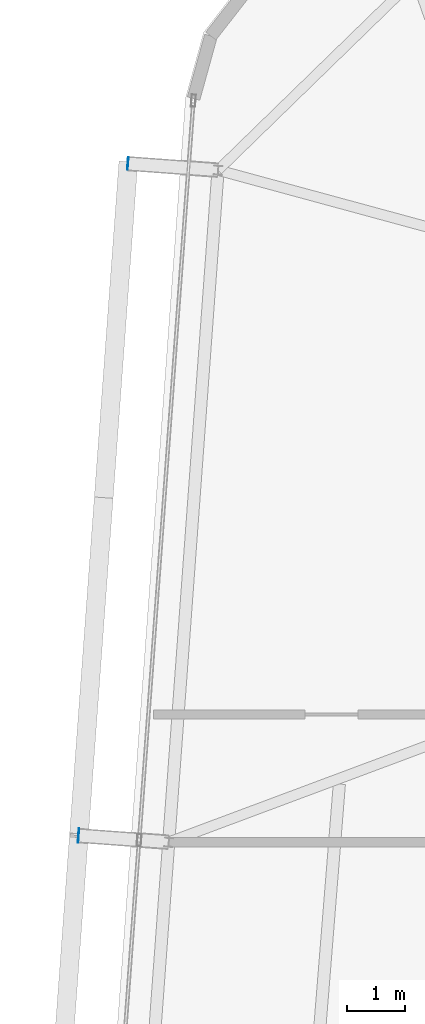
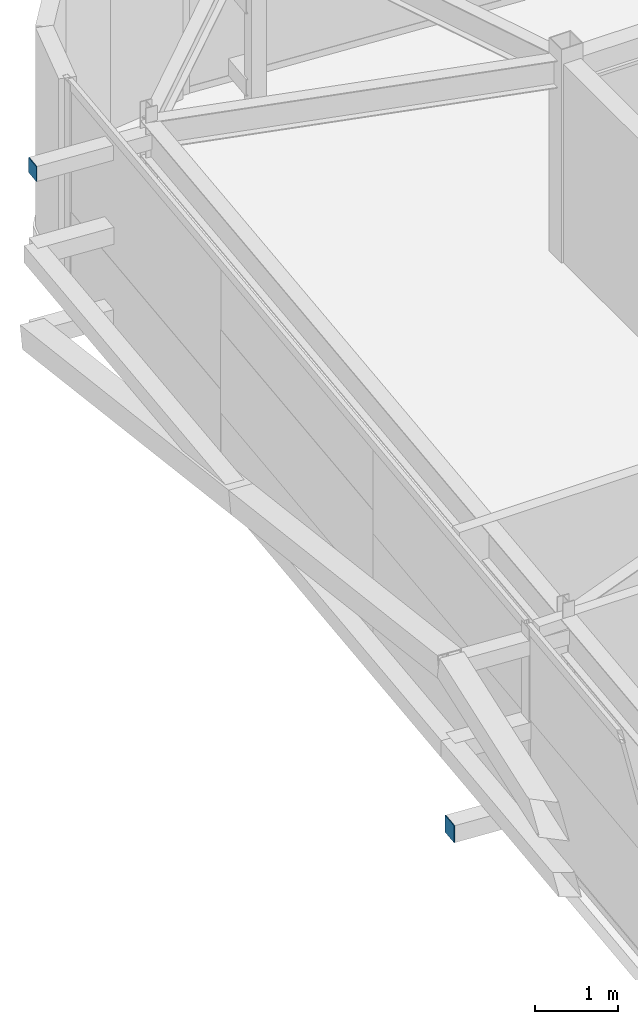
# One storey, part 26 of 34: 2 plates.
"""IFC4 building model written with IfcOpenShell, lengths in metres."""

import ifcopenshell
import ifcopenshell.guid

model = None  # the IFC model being written
_history = None  # IfcOwnerHistory: only IFC2X3 demands one
_inside = {}  # id of a spatial element -> (the spatial element, [elements in it])
_under = {}  # id of a project, library or spatial element -> (it, [spatial elements below it])
_declared = {}  # id of a project -> (the project, [libraries it declares])
_typed = {}  # id of a type object -> (the type object, [elements of that type])
_made_of = {}  # id of a material, layer set ... -> (it, [elements and type objects made of it])


def new_model(schema):
    """Start an empty IFC model of exactly this schema.

    Asked for "IFC4X3", IfcOpenShell would pick the latest addendum, in which some entities
    have other attributes; the version numbers below select the first issue.
    IFC2X3 requires an IfcOwnerHistory on every rooted entity: one is made here for all.
    """
    global model, _history
    if schema == "IFC4X3":
        model = ifcopenshell.file(schema_version=(4, 3, 0, 0))
    else:
        model = ifcopenshell.file(schema=schema)
    _inside.clear()
    _under.clear()
    _declared.clear()
    _typed.clear()
    _made_of.clear()
    _history = None
    if model.schema == "IFC2X3":
        org = make("IfcOrganization", Name="unknown")
        user = make(
            "IfcPersonAndOrganization",
            ThePerson=make("IfcPerson", FamilyName="unknown"),
            TheOrganization=org,
        )
        app = make(
            "IfcApplication",
            ApplicationDeveloper=org,
            Version="unknown",
            ApplicationFullName="unknown",
            ApplicationIdentifier="unknown",
        )
        _history = make(
            "IfcOwnerHistory",
            OwningUser=user,
            OwningApplication=app,
            ChangeAction="ADDED",
            CreationDate=0,
        )
    return model


def make(cls, **values):
    """One entity of the class cls with the attributes given. An attribute that is None is left unset."""
    return model.create_entity(
        cls, **{name: value for name, value in values.items() if value is not None}
    )


def rooted(cls, **values):
    """An entity with a GlobalId (a new one), such as an element, a storey or a relation."""
    return make(cls, GlobalId=ifcopenshell.guid.new(), OwnerHistory=_history, **values)


def si_unit(unit_type, name, prefix=None):
    """IfcSIUnit, for example si_unit("LENGTHUNIT", "METRE", prefix="MILLI")."""
    return make("IfcSIUnit", UnitType=unit_type, Prefix=prefix, Name=name)


def assignment(units):
    """IfcUnitAssignment: the units of a project."""
    return None if units is None else make("IfcUnitAssignment", Units=units)


def point(xyz):
    """IfcCartesianPoint."""
    return None if xyz is None else make("IfcCartesianPoint", Coordinates=xyz)


def direction(xyz):
    """IfcDirection."""
    return None if xyz is None else make("IfcDirection", DirectionRatios=xyz)


def frame(location, z_axis=None, x_axis=None):
    """IfcAxis2Placement3D, a coordinate frame: its origin and axes. An axis left out is left unset."""
    return make(
        "IfcAxis2Placement3D",
        Location=point(location),
        Axis=direction(z_axis),
        RefDirection=direction(x_axis),
    )


def frame_2d(location, x_axis=None):
    """IfcAxis2Placement2D, a coordinate frame in the plane: its origin and x axis."""
    return make(
        "IfcAxis2Placement2D", Location=point(location), RefDirection=direction(x_axis)
    )


def origin():
    """The frame at (0, 0, 0) with its axes left unset."""
    return frame((0.0, 0.0, 0.0))


def origin_2d():
    """The frame at (0, 0) in the plane with its x axis left unset."""
    return frame_2d((0.0, 0.0))


def place(relative_to, where):
    """IfcLocalPlacement: puts the frame where relative to a parent placement (None: the world)."""
    return make(
        "IfcLocalPlacement", PlacementRelTo=relative_to, RelativePlacement=where
    )


def context(
    kind, dimensions, precision=None, world=None, true_north=None, identifier=None
):
    """IfcGeometricRepresentationContext, for example the 3D "Model" context."""
    return make(
        "IfcGeometricRepresentationContext",
        ContextIdentifier=identifier,
        ContextType=kind,
        CoordinateSpaceDimension=dimensions,
        Precision=precision,
        WorldCoordinateSystem=world,
        TrueNorth=true_north,
    )


def subcontext(parent, identifier, kind, view, scale=None):
    """IfcGeometricRepresentationSubContext, for example "Body" below "Model"."""
    return make(
        "IfcGeometricRepresentationSubContext",
        ContextIdentifier=identifier,
        ContextType=kind,
        ParentContext=parent,
        TargetScale=scale,
        TargetView=view,
    )


def project(units=None, contexts=None):
    """IfcProject with its units and contexts."""
    return rooted(
        "IfcProject",
        Name="project",
        RepresentationContexts=contexts,
        UnitsInContext=assignment(units),
    )


def spatial(cls, under=None, at=None, **own):
    """A site, building, storey or space (cls), placed at a placement, below another one or the project."""
    s = rooted(cls, ObjectPlacement=at, **own)
    if under is not None:
        _under.setdefault(under.id(), (under, []))[1].append(s)
    return s


def profile(cls, at=None, kind="AREA", **sizes):
    """A parametric profile (cls). Its sizes go by their IFC names, for example OverallWidth=200.0."""
    return make(cls, ProfileType=kind, Position=at, **sizes)


def rectangle(**sizes):
    """IfcRectangleProfileDef."""
    return profile("IfcRectangleProfileDef", **sizes)


def extrude(swept, where, along, depth):
    """IfcExtrudedAreaSolid: the profile swept, set in the frame where, extruded along a direction by depth."""
    return make(
        "IfcExtrudedAreaSolid",
        SweptArea=swept,
        Position=where,
        ExtrudedDirection=direction(along),
        Depth=depth,
    )


def shape(context_of_items, identifier, shape_type, items):
    """IfcShapeRepresentation: the items that make up one representation, for example the "Body"."""
    return make(
        "IfcShapeRepresentation",
        ContextOfItems=context_of_items,
        RepresentationIdentifier=identifier,
        RepresentationType=shape_type,
        Items=items,
    )


def source(mapping_origin, context_of_items, identifier, shape_type, items):
    """IfcRepresentationMap: a shape defined once, which mapped items show again and again."""
    return make(
        "IfcRepresentationMap",
        MappingOrigin=mapping_origin,
        MappedRepresentation=shape(context_of_items, identifier, shape_type, items),
    )


def transform(
    local_origin,
    x_axis=None,
    y_axis=None,
    z_axis=None,
    scale=None,
    scale2=None,
    scale3=None,
    uniform=True,
):
    """IfcCartesianTransformationOperator3D, or its non-uniform kind. x_axis, y_axis, z_axis: its Axis1, 2, 3."""
    if uniform:
        return make(
            "IfcCartesianTransformationOperator3D",
            Axis1=direction(x_axis),
            Axis2=direction(y_axis),
            LocalOrigin=point(local_origin),
            Scale=scale,
            Axis3=direction(z_axis),
        )
    return make(
        "IfcCartesianTransformationOperator3DnonUniform",
        Axis1=direction(x_axis),
        Axis2=direction(y_axis),
        LocalOrigin=point(local_origin),
        Scale=scale,
        Axis3=direction(z_axis),
        Scale2=scale2,
        Scale3=scale3,
    )


def mapped(mapping_source, mapping_target):
    """IfcMappedItem: shows the shape of a source again, moved by a transform."""
    return make(
        "IfcMappedItem", MappingSource=mapping_source, MappingTarget=mapping_target
    )


def material(Name=None, Category=None):
    """IfcMaterial."""
    return make("IfcMaterial", Name=Name, Category=Category)


def layer(
    of_material, thickness, ventilated=None, Name=None, Category=None, Priority=None
):
    """IfcMaterialLayer: one layer of a wall or slab, of a material (None: an air gap)."""
    return make(
        "IfcMaterialLayer",
        Material=of_material,
        LayerThickness=thickness,
        IsVentilated=ventilated,
        Name=Name,
        Category=Category,
        Priority=Priority,
    )


def layer_set(layers, Name=None):
    """IfcMaterialLayerSet."""
    return make("IfcMaterialLayerSet", MaterialLayers=layers, LayerSetName=Name)


def made_of(thing, what):
    """Note that an element or type object is made of a material, layer set ...; save() writes the relation."""
    if what is not None:
        _made_of.setdefault(what.id(), (what, []))[1].append(thing)
    return thing


def type_object(cls, material=None, **own):
    """A type object (cls), such as IfcWallType, which elements share."""
    return made_of(rooted(cls, **own), material)


def element(
    cls,
    number,
    at=None,
    inside=None,
    cuts=None,
    type_object=None,
    material=None,
    context=None,
    identifier="Body",
    shape_type=None,
    held_by="IfcProductDefinitionShape",
    body=None,
    shapes=None,
    **own,
):
    """One element of the class cls, such as IfcWall. Its Tag is "e" and its number.

    at: its placement. inside: the storey or other place that contains it. cuts: it is an
    opening in that element (IfcRelVoidsElement). A single representation is given by context,
    identifier, shape_type and body (its items); several are given by shapes. held_by: the class
    of the entity that holds the representations. save() writes the other relations.
    """
    e = rooted(cls, Tag="e%d" % number, ObjectPlacement=at, **own)
    if body is not None:
        shapes = [shape(context, identifier, shape_type, body)]
    if shapes is not None:
        e.Representation = make(held_by, Representations=shapes)
    if inside is not None:
        _inside.setdefault(inside.id(), (inside, []))[1].append(e)
    if cuts is not None:
        rooted(
            "IfcRelVoidsElement", RelatingBuildingElement=cuts, RelatedOpeningElement=e
        )
    if type_object is not None:
        _typed.setdefault(type_object.id(), (type_object, []))[1].append(e)
    return made_of(e, material)


def aggregate(whole, parts):
    """IfcRelAggregates: a whole, such as a stair, and the parts it consists of."""
    return rooted("IfcRelAggregates", RelatingObject=whole, RelatedObjects=parts)


def save(model, path):
    """Write the relations noted so far, then the file.

    IfcRelAggregates (storeys below a building ...), IfcRelContainedInSpatialStructure (elements
    in a storey), IfcRelDefinesByType, IfcRelAssociatesMaterial and IfcRelDeclares: one each for
    every whole, place, type object, material and project.
    """
    for whole, parts in _under.values():
        aggregate(whole, parts)
    for where, things in _inside.values():
        rooted(
            "IfcRelContainedInSpatialStructure",
            RelatedElements=things,
            RelatingStructure=where,
        )
    for kind, things in _typed.values():
        rooted("IfcRelDefinesByType", RelatedObjects=things, RelatingType=kind)
    for what, things in _made_of.values():
        rooted("IfcRelAssociatesMaterial", RelatedObjects=things, RelatingMaterial=what)
    for by, libraries in _declared.values():
        rooted("IfcRelDeclares", RelatingContext=by, RelatedDefinitions=libraries)
    model.write(path)


model = new_model("IFC4")

# Units and contexts
model_context = context("Model", 3, precision=1e-05, world=origin(), true_north=direction((0.0, 1.0)))
body_context = subcontext(model_context, "Body", "Model", "MODEL_VIEW")
ifc_project = project(units=[si_unit("LENGTHUNIT", "METRE"), si_unit("AREAUNIT", "SQUARE_METRE"), si_unit("VOLUMEUNIT", "CUBIC_METRE"), si_unit("PLANEANGLEUNIT", "RADIAN"), si_unit("MASSUNIT", "GRAM", prefix="KILO")], contexts=[model_context])

# Site, building, storey
site_placement = place(None, origin())
site = spatial("IfcSite", under=ifc_project, at=site_placement, CompositionType="ELEMENT")
building_placement = place(site_placement, origin())
building = spatial("IfcBuilding", under=site, at=building_placement, Name="Taldren Reach Tower", CompositionType="ELEMENT")
storey_placement = place(building_placement, frame((0.0, 0.0, 242.89990234375)))
storey = spatial("IfcBuildingStorey", under=building, at=storey_placement, Name="L74", CompositionType="ELEMENT", Elevation=242.89990234375)

# Plates
ifc_material_1 = material(Name="Steel Gr 350 (C350L0)", Category="steel")
ifc_layer_1 = layer(ifc_material_1, 0.011962890625)
ifc_layer_set_1 = layer_set([ifc_layer_1], Name="Steel Gr 350 (C350L0)")
plate_type_1 = type_object("IfcPlateType", Name="PL-CAP-250", PredefinedType="SHEET", material=ifc_layer_set_1)
shared_shape_1 = source(origin(), body_context, "Body", "SweptSolid", [
    extrude(rectangle(XDim=0.011962890625, YDim=0.25, at=origin_2d()), origin(), (0.0, 0.0, 1.0), 0.25),
])
plate_1_placement = place(storey_placement, frame((11.556884765625, 21.914306640625, 0.09521484375), z_axis=(0.0, 0.0, 1.0), x_axis=(0.997314477224, -0.073238197128, 0.0)))
element("IfcPlate", 1, at=plate_1_placement, inside=storey, type_object=plate_type_1, Name="Tie strut end cap plate B5-W2 L74", PredefinedType="SHEET", context=body_context, shape_type="MappedRepresentation", body=[
    mapped(shared_shape_1, transform((0.0, 0.0, 0.0), scale=1.0)),
])
ifc_material_2 = material(Name="Steel Gr 450 (C450L0)", Category="steel")
ifc_layer_2 = layer(ifc_material_2, 0.011962890625)
ifc_layer_set_2 = layer_set([ifc_layer_2], Name="Steel Gr 450 (C450L0)")
plate_type_2 = type_object("IfcPlateType", Name="PL-CAP-220", PredefinedType="SHEET", material=ifc_layer_set_2)
shared_shape_2 = source(origin(), body_context, "Body", "SweptSolid", [
    extrude(rectangle(XDim=0.011962890625, YDim=0.219970703125, at=origin_2d()), origin(), (0.0, 0.0, 1.0), 0.219970703125),
])
plate_2_placement = place(storey_placement, frame((12.406494140625, 33.483154296875, 2.5400390625), z_axis=(0.0, 0.0, 1.0), x_axis=(0.997314477224, -0.073238197128, 0.0)))
element("IfcPlate", 2, at=plate_2_placement, inside=storey, type_object=plate_type_2, Name="Tie strut end cap plate B5-W3 L74", PredefinedType="SHEET", context=body_context, shape_type="MappedRepresentation", body=[
    mapped(shared_shape_2, transform((0.0, 0.0, 0.0), scale=1.0)),
])

save(model, "model.ifc")
